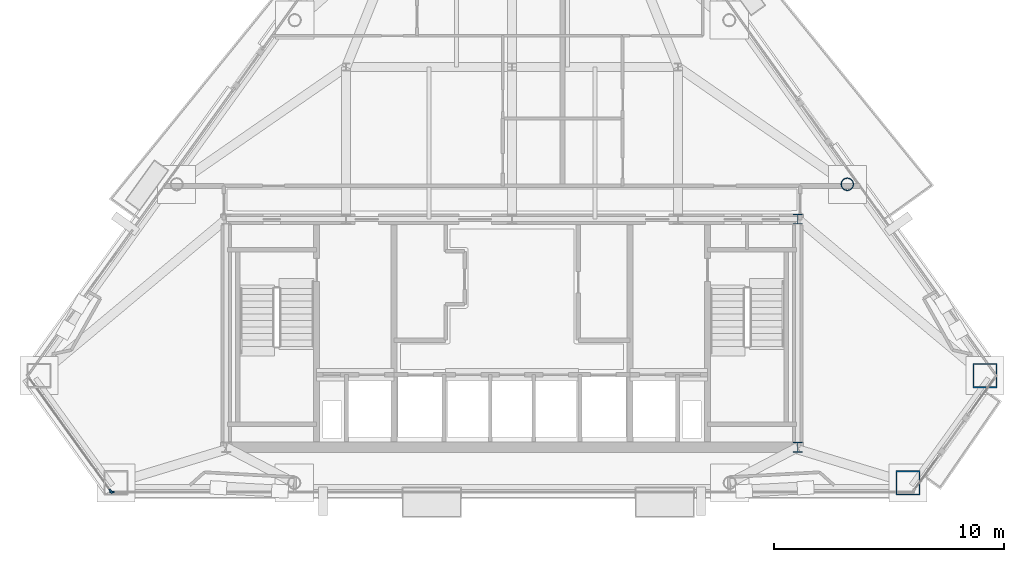
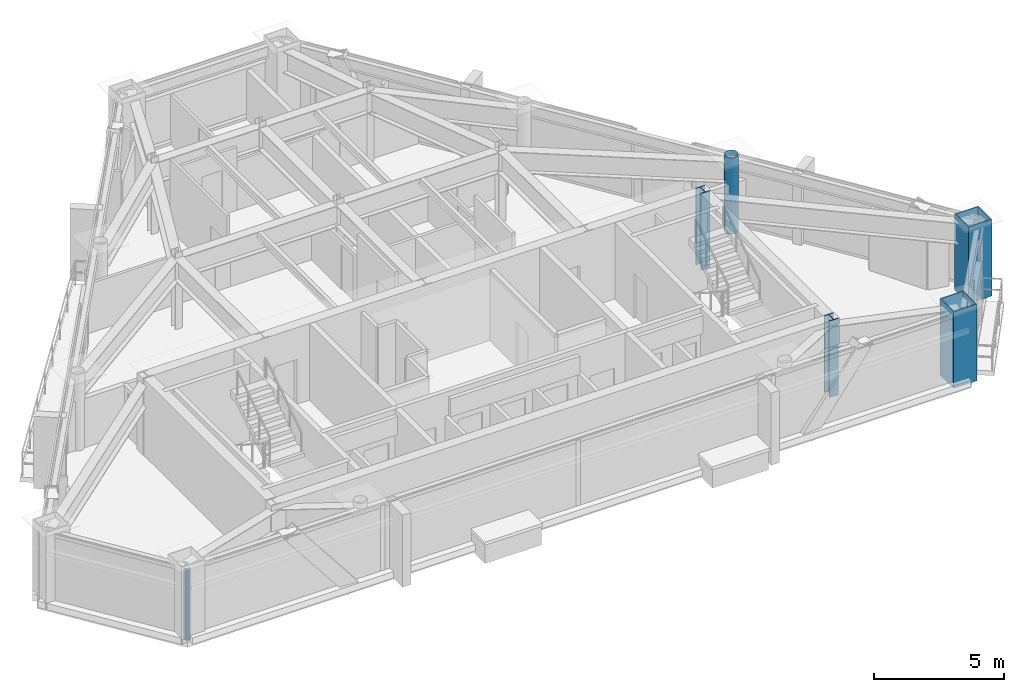
# One storey, part 2 of 11: 5 columns, 2 members, 2 elements without a shape of their own.
"""IFC4 building model written with IfcOpenShell, lengths in metres."""

from ifc_helpers import new_model, si_unit, direction, frame, origin, origin_2d, place, context, subcontext, project, spatial, rectangle, hollow_rectangle, hollow_circle, i_section, extrude, material, layer, layer_set, material_profile, profile_set, type_object, element, aggregate, save


model = new_model("IFC4")

# Units and contexts
model_context = context("Model", 3, precision=1e-05, world=origin(), true_north=direction((0.0, 1.0)))
body_context = subcontext(model_context, "Body", "Model", "MODEL_VIEW")
ifc_project = project(units=[si_unit("LENGTHUNIT", "METRE"), si_unit("AREAUNIT", "SQUARE_METRE"), si_unit("VOLUMEUNIT", "CUBIC_METRE"), si_unit("PLANEANGLEUNIT", "RADIAN"), si_unit("MASSUNIT", "GRAM", prefix="KILO")], contexts=[model_context])

# Site, building, storey
site_placement = place(None, origin())
site = spatial("IfcSite", under=ifc_project, at=site_placement, CompositionType="ELEMENT")
building_placement = place(site_placement, origin())
building = spatial("IfcBuilding", under=site, at=building_placement, Name="Talgorran Terracotta Tower", CompositionType="ELEMENT")
storey_placement = place(building_placement, frame((0.0, 0.0, 200.10009765625)))
storey = spatial("IfcBuildingStorey", under=building, at=storey_placement, Name="L52", CompositionType="ELEMENT", Elevation=200.10009765625)

# Columns
ifc_material_1 = material(Name="Steel S355 (300PLUS)", Category="steel")
ifc_material_profile_1 = material_profile(ifc_material_1, i_section(OverallWidth=0.39990234375, OverallDepth=0.43994140625, WebThickness=0.028076171875, FlangeThickness=0.0400390625, at=origin_2d()), Name="400WC328")
ifc_profile_set_1 = profile_set([ifc_material_profile_1], Name="Steel S355 (300PLUS)")
column_type_1 = type_object("IfcColumnType", Name="COL_400WC328", PredefinedType="COLUMN", material=ifc_profile_set_1)
for number, where, z_axis, x_axis, name in (
    (1, (12.39990234375, -14.10009765625, 0.0), (0.0, 0.0, 1.0), (1.0, 0.0, 0.0), "L52 Core Boundary Column CC2"),
    (2, (12.39990234375, -4.199951171875, 0.0), (0.0, 0.0, 1.0), (1.0, 0.0, 0.0), "L52 Core Boundary Column CC3"),
):
    element("IfcColumn", number, at=place(storey_placement, frame(where, z_axis=z_axis, x_axis=x_axis)), inside=storey, type_object=column_type_1, Name=name, PredefinedType="COLUMN", context=body_context, shape_type="SweptSolid", body=[
        extrude(i_section(OverallWidth=0.39990234375, OverallDepth=0.43994140625, WebThickness=0.028076171875, FlangeThickness=0.0400390625, at=origin_2d()), origin(), (0.0, 0.0, 1.0), 3.599853515625),
    ])
ifc_material_2 = material(Name="Steel Grade 350 (350L0)", Category="steel")
ifc_material_profile_2 = material_profile(ifc_material_2, hollow_rectangle(XDim=1.050048828125, YDim=1.050048828125, WallThickness=0.044921875, at=origin_2d()), Name="CFT1050X1050X45")
ifc_profile_set_2 = profile_set([ifc_material_profile_2], Name="Steel Grade 350 (350L0)")
column_type_2 = type_object("IfcColumnType", Name="COL_CFT_1050", PredefinedType="COLUMN", material=ifc_profile_set_2)
for number, where, z_axis, x_axis, name in (
    (3, (17.1796875, -15.64111328125, 0.0), (0.0, 0.0, 1.0), (1.0, 0.0, 0.0), "L52 Corner CFT Mega-Column MC3"),
    (4, (20.524169921875, -10.9921875, 0.0), (0.0, 0.0, 1.0), (1.0, 0.0, 0.0), "L52 Corner CFT Mega-Column MC4"),
):
    element("IfcColumn", number, at=place(storey_placement, frame(where, z_axis=z_axis, x_axis=x_axis)), inside=storey, type_object=column_type_2, Name=name, PredefinedType="COLUMN", context=body_context, shape_type="SweptSolid", body=[
        extrude(hollow_rectangle(XDim=1.050048828125, YDim=1.050048828125, WallThickness=0.044921875, at=origin_2d()), origin(), (0.0, 0.0, 1.0), 3.599853515625),
    ])
ifc_material_profile_3 = material_profile(ifc_material_2, hollow_circle(Radius=0.27490234375, WallThickness=0.02392578125, at=origin_2d()), Name="CHS550X24")
ifc_profile_set_3 = profile_set([ifc_material_profile_3], Name="Steel Grade 350 (350L0)")
column_type_3 = type_object("IfcColumnType", Name="COL_CHS_550", PredefinedType="COLUMN", material=ifc_profile_set_3)
column_placement = place(storey_placement, frame((14.548828125, -2.686279296875, 0.0), z_axis=(0.0, 0.0, 1.0), x_axis=(1.0, 0.0, 0.0)))
element("IfcColumn", 5, at=column_placement, inside=storey, type_object=column_type_3, Name="L52 Facet Perimeter Column FC3", PredefinedType="COLUMN", context=body_context, shape_type="SweptSolid", body=[
    extrude(hollow_circle(Radius=0.27490234375, WallThickness=0.02392578125, at=origin_2d()), origin(), (0.0, 0.0, 1.0), 3.599853515625),
])

# Curtain wall, member
ifc_material_3 = material(Name="High-Wind Unitised Glazing", Category="glass")
ifc_layer = layer(ifc_material_3, 0.2099609375, Name="CW_SYS3_RES_HIGH")
ifc_layer_set = layer_set([ifc_layer], Name="High-Wind Unitised Glazing")
curtain_wall_type = type_object("IfcCurtainWallType", Name="CW_SYS3_RES_HIGH", PredefinedType="NOTDEFINED", material=ifc_layer_set)
curtain_wall_1_placement = place(storey_placement, origin())
curtain_wall_1 = element("IfcCurtainWall", 6, at=curtain_wall_1_placement, inside=storey, type_object=curtain_wall_type, Name="CW-L52-F0", PredefinedType="NOTDEFINED")
ifc_material_4 = material(Name="Architectural Aluminium 6063-T6", Category="aluminium")
ifc_material_profile_4 = material_profile(ifc_material_4, rectangle(XDim=0.070068359375, YDim=0.199951171875, at=origin_2d()), Name="CWM70X200")
ifc_profile_set_4 = profile_set([ifc_material_profile_4], Name="Architectural Aluminium 6063-T6")
member_type = type_object("IfcMemberType", Name="MUL_70X200", PredefinedType="MULLION", material=ifc_profile_set_4)
member_1_placement = place(storey_placement, frame((-17.405029296875, -16.0126953125, 0.0), z_axis=(0.0, 0.0, 1.0), x_axis=(0.811769090011, 0.583978547982, 0.0)))
member_1 = element("IfcMember", 7, at=member_1_placement, type_object=member_type, Name="CW-L52-0 mullion 2", PredefinedType="MULLION", context=body_context, shape_type="SweptSolid", body=[
    extrude(rectangle(XDim=0.070068359375, YDim=0.199951171875, at=origin_2d()), origin(), (0.0, 0.0, 1.0), 3.344970703125),
])
aggregate(curtain_wall_1, [member_1])

curtain_wall_2_placement = place(storey_placement, origin())
curtain_wall_2 = element("IfcCurtainWall", 8, at=curtain_wall_2_placement, inside=storey, type_object=curtain_wall_type, Name="CW-L52-F1", PredefinedType="NOTDEFINED")
member_2_placement = place(storey_placement, frame((-17.349609375, -16.041015625, 0.0), z_axis=(0.0, 0.0, 1.0), x_axis=(0.0, 1.0, 0.0)))
member_2 = element("IfcMember", 9, at=member_2_placement, type_object=member_type, Name="CW-L52-1 mullion 1", PredefinedType="MULLION", context=body_context, shape_type="SweptSolid", body=[
    extrude(rectangle(XDim=0.070068359375, YDim=0.199951171875, at=origin_2d()), origin(), (0.0, 0.0, 1.0), 3.344970703125),
])
aggregate(curtain_wall_2, [member_2])

save(model, "model.ifc")
